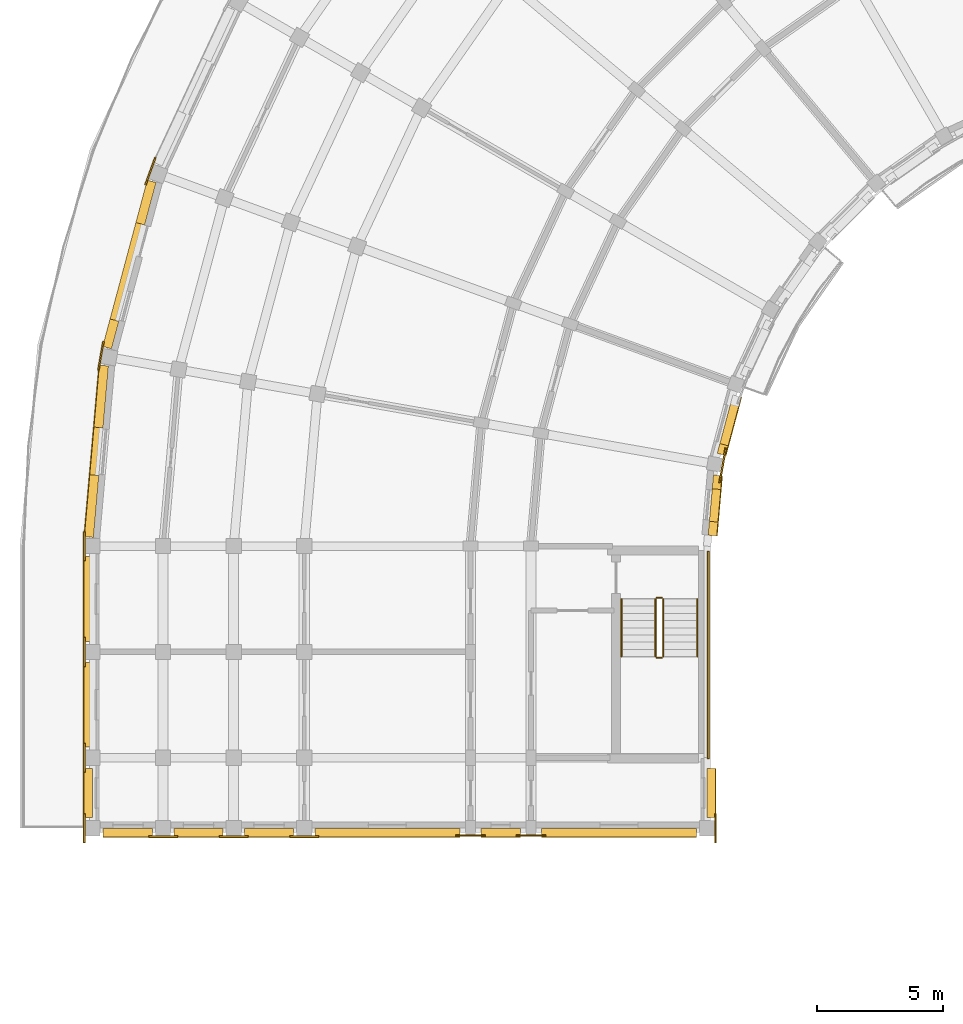
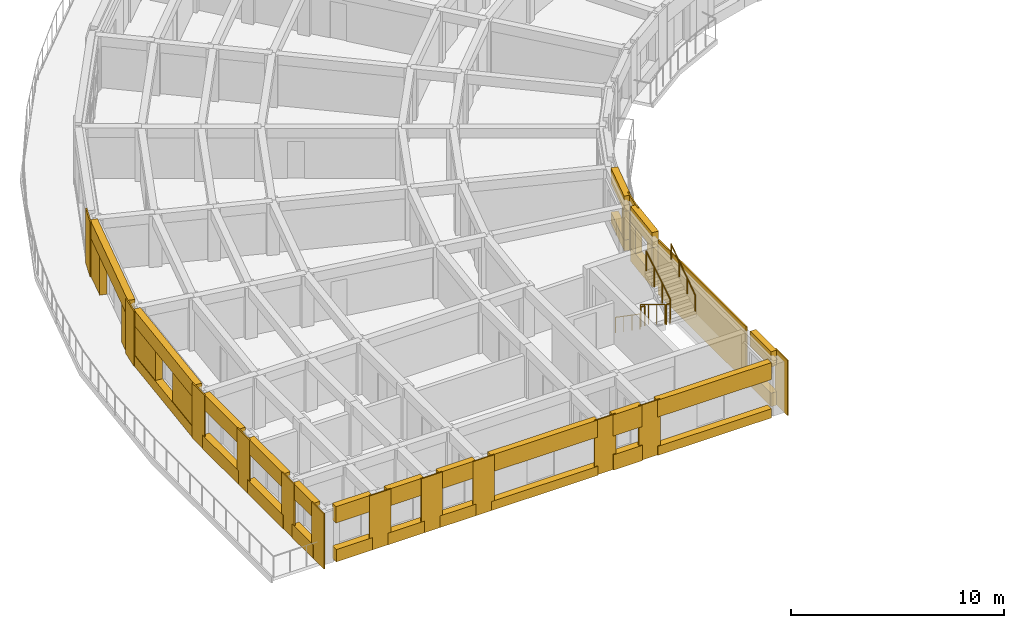
# One storey, part 23 of 32: 48 coverings, 6 railings.
"""IFC4 building model written with IfcOpenShell, lengths in metres."""

from ifc_helpers import new_model, si_unit, direction, frame, origin, origin_2d, place, context, subcontext, project, spatial, polyline, circle, outline, extrude, material, layer, layer_set, type_object, element, save


model = new_model("IFC4")

# Units and contexts
model_context = context("Model", 3, precision=1e-05, world=origin(), true_north=direction((0.0, 1.0)))
body_context = subcontext(model_context, "Body", "Model", "MODEL_VIEW")
ifc_project = project(units=[si_unit("LENGTHUNIT", "METRE"), si_unit("AREAUNIT", "SQUARE_METRE"), si_unit("VOLUMEUNIT", "CUBIC_METRE"), si_unit("PLANEANGLEUNIT", "RADIAN"), si_unit("MASSUNIT", "GRAM", prefix="KILO")], contexts=[model_context])

# Site, building, storey
site_placement = place(None, origin())
site = spatial("IfcSite", under=ifc_project, at=site_placement, CompositionType="ELEMENT")
building_placement = place(site_placement, origin())
building = spatial("IfcBuilding", under=site, at=building_placement, Name="Kiranvali Square Residences", CompositionType="ELEMENT")
storey_placement = place(building_placement, frame((0.0, 0.0, 40.199951171875)))
storey = spatial("IfcBuildingStorey", under=building, at=storey_placement, Name="L12", CompositionType="ELEMENT", Elevation=40.199951171875)

# Coverings
ifc_material_1 = material(Name="Honed Porbandar limestone ashlar facade cladding", Category="masonry")
ifc_layer_1 = layer(ifc_material_1, 0.3798828125)
ifc_layer_set_1 = layer_set([ifc_layer_1], Name="Honed Porbandar limestone ashlar facade cladding")
covering_type_1 = type_object("IfcCoveringType", Name="COV-CLAD-JAMB", PredefinedType="CLADDING", material=ifc_layer_set_1)
covering_1_placement = place(storey_placement, origin())
element("IfcCovering", 1, at=covering_1_placement, inside=storey, type_object=covering_type_1, Name="L12 deep limestone window jamb reveal A-L12-CRV-07.L", PredefinedType="CLADDING", context=body_context, shape_type="SweptSolid", body=[
    extrude(outline(polyline([(7.1669921875, 102.330322265625), (6.716552734375, 100.649169921875), (7.063720703125, 100.55615234375), (7.51416015625, 102.2373046875), (7.1669921875, 102.330322265625)])), origin(), (0.0, 0.0, 1.0), 2.179931640625),
])
covering_2_placement = place(storey_placement, origin())
element("IfcCovering", 2, at=covering_2_placement, inside=storey, type_object=covering_type_1, Name="L12 deep limestone window jamb reveal A-L12-CRV-07.R", PredefinedType="CLADDING", context=body_context, shape_type="SweptSolid", body=[
    extrude(outline(polyline([(5.6904296875, 96.8203125), (5.399169921875, 95.73291015625), (5.746337890625, 95.639892578125), (6.037841796875, 96.727294921875), (5.6904296875, 96.8203125)])), origin(), (0.0, 0.0, 1.0), 2.179931640625),
])
covering_3_placement = place(storey_placement, frame((0.0, 0.0, 0.630126953125)))
element("IfcCovering", 3, at=covering_3_placement, inside=storey, type_object=covering_type_1, Name="L12 deep limestone window jamb reveal A-L12-CRV-08.L", PredefinedType="CLADDING", context=body_context, shape_type="SweptSolid", body=[
    extrude(outline(polyline([(5.26708984375, 94.984375), (5.05224609375, 92.528564453125), (5.410400390625, 92.497314453125), (5.625244140625, 94.952880859375), (5.26708984375, 94.984375)])), origin(), (0.0, 0.0, 1.0), 1.64990234375),
])
covering_4_placement = place(storey_placement, frame((0.0, 0.0, 0.630126953125)))
element("IfcCovering", 4, at=covering_4_placement, inside=storey, type_object=covering_type_1, Name="L12 deep limestone window jamb reveal A-L12-CRV-08.R", PredefinedType="CLADDING", context=body_context, shape_type="SweptSolid", body=[
    extrude(outline(polyline([(4.88671875, 90.6357421875), (4.671875, 88.179931640625), (5.030029296875, 88.148681640625), (5.244873046875, 90.6044921875), (4.88671875, 90.6357421875)])), origin(), (0.0, 0.0, 1.0), 1.64990234375),
])
covering_5_placement = place(storey_placement, frame((0.0, 0.0, 0.6220703125)))
element("IfcCovering", 5, at=covering_5_placement, inside=storey, type_object=covering_type_1, Name="L12 deep limestone window jamb reveal A-L12-GDN-07.R", PredefinedType="CLADDING", context=body_context, shape_type="SweptSolid", body=[
    extrude(outline(polyline([(29.903076171875, 91.87451171875), (29.800048828125, 91.489501953125), (30.1279296875, 91.401611328125), (30.23095703125, 91.78662109375), (29.903076171875, 91.87451171875)])), origin(), (0.0, 0.0, 1.0), 1.64990234375),
])
covering_6_placement = place(storey_placement, frame((0.0, 0.0, 0.77197265625)))
element("IfcCovering", 6, at=covering_6_placement, inside=storey, type_object=covering_type_1, Name="L12 deep limestone window jamb reveal A-L12-GDN-08.L", PredefinedType="CLADDING", context=body_context, shape_type="SweptSolid", body=[
    extrude(outline(polyline([(29.647705078125, 90.626220703125), (29.599853515625, 90.079833984375), (29.938232421875, 90.05029296875), (29.986083984375, 90.5966796875), (29.647705078125, 90.626220703125)])), origin(), (0.0, 0.0, 1.0), 1.5),
])
covering_7_placement = place(storey_placement, frame((0.0, 0.0, 0.77197265625)))
element("IfcCovering", 7, at=covering_7_placement, inside=storey, type_object=covering_type_1, Name="L12 deep limestone window jamb reveal A-L12-GDN-08.R", PredefinedType="CLADDING", context=body_context, shape_type="SweptSolid", body=[
    extrude(outline(polyline([(29.486572265625, 88.78466796875), (29.43896484375, 88.23828125), (29.777099609375, 88.208740234375), (29.824951171875, 88.755126953125), (29.486572265625, 88.78466796875)])), origin(), (0.0, 0.0, 1.0), 1.5),
])
ifc_layer_2 = layer(ifc_material_1, 0.06494140625)
ifc_layer_set_2 = layer_set([ifc_layer_2], Name="Honed Porbandar limestone ashlar facade cladding")
covering_type_2 = type_object("IfcCoveringType", Name="COV-CLAD-PIER", PredefinedType="CLADDING", material=ifc_layer_set_2)
covering_8_placement = place(storey_placement, frame((0.0, 0.0, 0.005126953125)))
element("IfcCovering", 8, at=covering_8_placement, inside=storey, type_object=covering_type_2, Name="L12 Classical limestone corner pilaster CLAD-PR-A-L12-A07", PredefinedType="CLADDING", context=body_context, shape_type="SweptSolid", body=[
    extrude(outline(polyline([(7.457763671875, 103.24609375), (7.06103515625, 102.156005859375), (7.12451171875, 102.133056640625), (7.521240234375, 103.22314453125), (7.457763671875, 103.24609375)])), origin(), (0.0, 0.0, 1.0), 3.139892578125),
])
covering_9_placement = place(storey_placement, frame((0.0, 0.0, 0.005126953125)))
element("IfcCovering", 9, at=covering_9_placement, inside=storey, type_object=covering_type_2, Name="L12 Classical limestone corner pilaster CLAD-PR-A-L12-A08", PredefinedType="CLADDING", context=body_context, shape_type="SweptSolid", body=[
    extrude(outline(polyline([(5.39453125, 95.936767578125), (5.193115234375, 94.79443359375), (5.259765625, 94.782470703125), (5.461181640625, 95.925048828125), (5.39453125, 95.936767578125)])), origin(), (0.0, 0.0, 1.0), 3.139892578125),
])
covering_10_placement = place(storey_placement, frame((0.0, 0.0, 0.005126953125)))
element("IfcCovering", 10, at=covering_10_placement, inside=storey, type_object=covering_type_2, Name="L12 Classical limestone corner pilaster CLAD-PR-A-L12-A09", PredefinedType="CLADDING", context=body_context, shape_type="SweptSolid", body=[
    extrude(outline(polyline([(4.632080078125, 88.3798828125), (4.632080078125, 87.219970703125), (4.699462890625, 87.219970703125), (4.699462890625, 88.3798828125), (4.632080078125, 88.3798828125)])), origin(), (0.0, 0.0, 1.0), 3.139892578125),
])
covering_11_placement = place(storey_placement, frame((0.0, 0.0, 0.005126953125)))
element("IfcCovering", 11, at=covering_11_placement, inside=storey, type_object=covering_type_2, Name="Block A L12 Arm 2 stair limestone ashlar cladding", PredefinedType="CLADDING", context=body_context, shape_type="SweptSolid", body=[
    extrude(outline(polyline([(29.402099609375, 87.60009765625), (29.402099609375, 79.35009765625), (29.47998046875, 79.35009765625), (29.47998046875, 87.60009765625), (29.402099609375, 87.60009765625)])), origin(), (0.0, 0.0, 1.0), 3.139892578125),
])
ifc_layer_3 = layer(ifc_material_1, 0.050048828125)
ifc_layer_set_3 = layer_set([ifc_layer_3], Name="Honed Porbandar limestone ashlar facade cladding")
covering_type_3 = type_object("IfcCoveringType", Name="COV-CLAD-PIER-IN", PredefinedType="CLADDING", material=ifc_layer_set_3)
covering_12_placement = place(storey_placement, frame((0.0, 0.0, 0.005126953125)))
element("IfcCovering", 12, at=covering_12_placement, inside=storey, type_object=covering_type_3, Name="L12 Classical garden courtyard pilaster CLAD-PRIN-A-L12-A08", PredefinedType="CLADDING", context=body_context, shape_type="SweptSolid", body=[
    extrude(outline(polyline([(29.926513671875, 90.311279296875), (30.169677734375, 91.68994140625), (30.10302734375, 91.70166015625), (29.860107421875, 90.322998046875), (29.926513671875, 90.311279296875)])), origin(), (0.0, 0.0, 1.0), 3.139892578125),
])
covering_13_placement = place(storey_placement, frame((0.0, 0.0, 0.005126953125)))
element("IfcCovering", 13, at=covering_13_placement, inside=storey, type_object=covering_type_3, Name="L12 Classical limestone pilaster casing CLAD-PRA2I-A-L12-V112", PredefinedType="CLADDING", context=body_context, shape_type="SweptSolid", body=[
    extrude(outline(polyline([(29.700439453125, 77.179931640625), (29.700439453125, 76.02001953125), (29.76806640625, 76.02001953125), (29.76806640625, 77.179931640625), (29.700439453125, 77.179931640625)])), origin(), (0.0, 0.0, 1.0), 3.139892578125),
])
ifc_layer_4 = layer(ifc_material_1, 0.054931640625)
ifc_layer_set_4 = layer_set([ifc_layer_4], Name="Honed Porbandar limestone ashlar facade cladding")
covering_type_4 = type_object("IfcCoveringType", Name="COV-CLAD-PIER-UP", PredefinedType="CLADDING", material=ifc_layer_set_4)
covering_14_placement = place(storey_placement, frame((0.0, 0.0, 0.005126953125)))
element("IfcCovering", 14, at=covering_14_placement, inside=storey, type_object=covering_type_4, Name="L12 Classical limestone pilaster casing CLAD-PR-A-L12-V42", PredefinedType="CLADDING", context=body_context, shape_type="SweptSolid", body=[
    extrude(outline(polyline([(4.632080078125, 84.179931640625), (4.632080078125, 83.02001953125), (4.699462890625, 83.02001953125), (4.699462890625, 84.179931640625), (4.632080078125, 84.179931640625)])), origin(), (0.0, 0.0, 1.0), 3.139892578125),
])
covering_15_placement = place(storey_placement, frame((0.0, 0.0, 0.005126953125)))
element("IfcCovering", 15, at=covering_15_placement, inside=storey, type_object=covering_type_4, Name="L12 Classical limestone pilaster casing CLAD-PR-A-L12-V84", PredefinedType="CLADDING", context=body_context, shape_type="SweptSolid", body=[
    extrude(outline(polyline([(4.632080078125, 79.97998046875), (4.632080078125, 78.820068359375), (4.699462890625, 78.820068359375), (4.699462890625, 79.97998046875), (4.632080078125, 79.97998046875)])), origin(), (0.0, 0.0, 1.0), 3.139892578125),
])
covering_16_placement = place(storey_placement, frame((0.0, 0.0, 0.005126953125)))
element("IfcCovering", 16, at=covering_16_placement, inside=storey, type_object=covering_type_4, Name="L12 Classical limestone pilaster casing CLAD-PR-A-L12-V112", PredefinedType="CLADDING", context=body_context, shape_type="SweptSolid", body=[
    extrude(outline(polyline([(4.632080078125, 77.179931640625), (4.632080078125, 76.02001953125), (4.699462890625, 76.02001953125), (4.699462890625, 77.179931640625), (4.632080078125, 77.179931640625)])), origin(), (0.0, 0.0, 1.0), 3.139892578125),
])
covering_17_placement = place(storey_placement, frame((0.0, 0.0, 0.005126953125)))
element("IfcCovering", 17, at=covering_17_placement, inside=storey, type_object=covering_type_4, Name="L12 Classical limestone pilaster casing CLAD-PRA2E-A-L12-R258", PredefinedType="CLADDING", context=body_context, shape_type="SweptSolid", body=[
    extrude(outline(polyline([(22.97998046875, 76.349609375), (21.820068359375, 76.349609375), (21.820068359375, 76.281982421875), (22.97998046875, 76.281982421875), (22.97998046875, 76.349609375)])), origin(), (0.0, 0.0, 1.0), 3.139892578125),
])
covering_18_placement = place(storey_placement, frame((0.0, 0.0, 0.005126953125)))
element("IfcCovering", 18, at=covering_18_placement, inside=storey, type_object=covering_type_4, Name="L12 Classical limestone pilaster casing CLAD-PRA2E-A-L12-R282", PredefinedType="CLADDING", context=body_context, shape_type="SweptSolid", body=[
    extrude(outline(polyline([(20.580078125, 76.349609375), (19.419921875, 76.349609375), (19.419921875, 76.281982421875), (20.580078125, 76.281982421875), (20.580078125, 76.349609375)])), origin(), (0.0, 0.0, 1.0), 3.139892578125),
])
covering_19_placement = place(storey_placement, frame((0.0, 0.0, 0.005126953125)))
element("IfcCovering", 19, at=covering_19_placement, inside=storey, type_object=covering_type_4, Name="L12 Classical limestone pilaster casing CLAD-PRA2E-A-L12-R348", PredefinedType="CLADDING", context=body_context, shape_type="SweptSolid", body=[
    extrude(outline(polyline([(13.97998046875, 76.299560546875), (12.820068359375, 76.299560546875), (12.820068359375, 76.23193359375), (13.97998046875, 76.23193359375), (13.97998046875, 76.299560546875)])), origin(), (0.0, 0.0, 1.0), 3.139892578125),
])
covering_20_placement = place(storey_placement, frame((0.0, 0.0, 0.005126953125)))
element("IfcCovering", 20, at=covering_20_placement, inside=storey, type_object=covering_type_4, Name="L12 Classical limestone pilaster casing CLAD-PRA2E-A-L12-R376", PredefinedType="CLADDING", context=body_context, shape_type="SweptSolid", body=[
    extrude(outline(polyline([(11.179931640625, 76.299560546875), (10.02001953125, 76.299560546875), (10.02001953125, 76.23193359375), (11.179931640625, 76.23193359375), (11.179931640625, 76.299560546875)])), origin(), (0.0, 0.0, 1.0), 3.139892578125),
])
covering_21_placement = place(storey_placement, frame((0.0, 0.0, 0.005126953125)))
element("IfcCovering", 21, at=covering_21_placement, inside=storey, type_object=covering_type_4, Name="L12 Classical limestone pilaster casing CLAD-PRA2E-A-L12-R404", PredefinedType="CLADDING", context=body_context, shape_type="SweptSolid", body=[
    extrude(outline(polyline([(8.3798828125, 76.299560546875), (7.219970703125, 76.299560546875), (7.219970703125, 76.23193359375), (8.3798828125, 76.23193359375), (8.3798828125, 76.299560546875)])), origin(), (0.0, 0.0, 1.0), 3.139892578125),
])
ifc_layer_5 = layer(ifc_material_1, 0.360107421875)
ifc_layer_set_5 = layer_set([ifc_layer_5], Name="Honed Porbandar limestone ashlar facade cladding")
covering_type_5 = type_object("IfcCoveringType", Name="COV-CLAD-WALL", PredefinedType="CLADDING", material=ifc_layer_set_5)
covering_22_placement = place(storey_placement, frame((0.0, 0.0, 2.179931640625)))
element("IfcCovering", 22, at=covering_22_placement, inside=storey, type_object=covering_type_5, Name="L12 light limestone spandrel lintel A-L12-CRV-07", PredefinedType="CLADDING", context=body_context, shape_type="SweptSolid", body=[
    extrude(outline(polyline([(7.1669921875, 102.330322265625), (5.399169921875, 95.73291015625), (5.746337890625, 95.639892578125), (7.51416015625, 102.2373046875), (7.1669921875, 102.330322265625)])), origin(), (0.0, 0.0, 1.0), 0.965087890625),
])
covering_23_placement = place(storey_placement, frame((0.0, 0.0, 2.280029296875)))
element("IfcCovering", 23, at=covering_23_placement, inside=storey, type_object=covering_type_5, Name="L12 light limestone spandrel lintel A-L12-CRV-08", PredefinedType="CLADDING", context=body_context, shape_type="SweptSolid", body=[
    extrude(outline(polyline([(5.26708984375, 94.984375), (4.671875, 88.179931640625), (5.030029296875, 88.148681640625), (5.625244140625, 94.952880859375), (5.26708984375, 94.984375)])), origin(), (0.0, 0.0, 1.0), 0.864990234375),
])
covering_24_placement = place(storey_placement, frame((0.0, 0.0, 2.27197265625)))
element("IfcCovering", 24, at=covering_24_placement, inside=storey, type_object=covering_type_5, Name="L12 light limestone spandrel lintel A-L12-GDN-07", PredefinedType="CLADDING", context=body_context, shape_type="SweptSolid", body=[
    extrude(outline(polyline([(30.42041015625, 93.804931640625), (29.800048828125, 91.489501953125), (30.1279296875, 91.401611328125), (30.748291015625, 93.717041015625), (30.42041015625, 93.804931640625)])), origin(), (0.0, 0.0, 1.0), 0.873046875),
])
covering_25_placement = place(storey_placement, frame((0.0, 0.0, 2.27197265625)))
element("IfcCovering", 25, at=covering_25_placement, inside=storey, type_object=covering_type_5, Name="L12 light limestone spandrel lintel A-L12-GDN-08", PredefinedType="CLADDING", context=body_context, shape_type="SweptSolid", body=[
    extrude(outline(polyline([(29.647705078125, 90.626220703125), (29.43896484375, 88.23828125), (29.777099609375, 88.208740234375), (29.986083984375, 90.5966796875), (29.647705078125, 90.626220703125)])), origin(), (0.0, 0.0, 1.0), 0.873046875),
])
covering_26_placement = place(storey_placement, frame((0.0, 0.0, 2.280029296875)))
element("IfcCovering", 26, at=covering_26_placement, inside=storey, type_object=covering_type_5, Name="L12 light limestone spandrel lintel A-L12-A2O-0", PredefinedType="CLADDING", context=body_context, shape_type="SweptSolid", body=[
    extrude(outline(polyline([(4.64990234375, 87.3798828125), (4.64990234375, 84.02001953125), (4.99951171875, 84.02001953125), (4.99951171875, 87.3798828125), (4.64990234375, 87.3798828125)])), origin(), (0.0, 0.0, 1.0), 0.864990234375),
])
covering_27_placement = place(storey_placement, frame((0.0, 0.0, 2.280029296875)))
element("IfcCovering", 27, at=covering_27_placement, inside=storey, type_object=covering_type_5, Name="L12 light limestone spandrel lintel A-L12-A2O-1", PredefinedType="CLADDING", context=body_context, shape_type="SweptSolid", body=[
    extrude(outline(polyline([(4.64990234375, 83.179931640625), (4.64990234375, 79.820068359375), (4.99951171875, 79.820068359375), (4.99951171875, 83.179931640625), (4.64990234375, 83.179931640625)])), origin(), (0.0, 0.0, 1.0), 0.864990234375),
])
covering_28_placement = place(storey_placement, frame((0.0, 0.0, 2.280029296875)))
element("IfcCovering", 28, at=covering_28_placement, inside=storey, type_object=covering_type_5, Name="L12 light limestone spandrel lintel A-L12-A2O-2", PredefinedType="CLADDING", context=body_context, shape_type="SweptSolid", body=[
    extrude(outline(polyline([(4.64990234375, 78.97998046875), (4.64990234375, 77.02001953125), (4.99951171875, 77.02001953125), (4.99951171875, 78.97998046875), (4.64990234375, 78.97998046875)])), origin(), (0.0, 0.0, 1.0), 0.864990234375),
])
covering_29_placement = place(storey_placement, frame((0.0, 0.0, 2.27197265625)))
element("IfcCovering", 29, at=covering_29_placement, inside=storey, type_object=covering_type_5, Name="L12 light limestone spandrel lintel A-L12-A2I-0", PredefinedType="CLADDING", context=body_context, shape_type="SweptSolid", body=[
    extrude(outline(polyline([(29.400390625, 78.97998046875), (29.400390625, 77.02001953125), (29.719970703125, 77.02001953125), (29.719970703125, 78.97998046875), (29.400390625, 78.97998046875)])), origin(), (0.0, 0.0, 1.0), 0.873046875),
])
covering_30_placement = place(storey_placement, frame((0.0, 0.0, 2.172119140625)))
element("IfcCovering", 30, at=covering_30_placement, inside=storey, type_object=covering_type_5, Name="L12 light limestone spandrel lintel A-L12-A2END-0", PredefinedType="CLADDING", context=body_context, shape_type="SweptSolid", body=[
    extrude(outline(polyline([(28.97998046875, 76.599609375), (22.820068359375, 76.599609375), (22.820068359375, 76.260009765625), (28.97998046875, 76.260009765625), (28.97998046875, 76.599609375)])), origin(), (0.0, 0.0, 1.0), 0.972900390625),
])
covering_31_placement = place(storey_placement, frame((0.0, 0.0, 1.929931640625)))
element("IfcCovering", 31, at=covering_31_placement, inside=storey, type_object=covering_type_5, Name="L12 light limestone spandrel lintel A-L12-A2END-1", PredefinedType="CLADDING", context=body_context, shape_type="SweptSolid", body=[
    extrude(outline(polyline([(21.97998046875, 76.599609375), (20.419921875, 76.599609375), (20.419921875, 76.260009765625), (21.97998046875, 76.260009765625), (21.97998046875, 76.599609375)])), origin(), (0.0, 0.0, 1.0), 1.215087890625),
])
covering_32_placement = place(storey_placement, frame((0.0, 0.0, 2.172119140625)))
element("IfcCovering", 32, at=covering_32_placement, inside=storey, type_object=covering_type_5, Name="L12 light limestone spandrel lintel A-L12-A2END-2", PredefinedType="CLADDING", context=body_context, shape_type="SweptSolid", body=[
    extrude(outline(polyline([(19.580078125, 76.599609375), (13.820068359375, 76.599609375), (13.820068359375, 76.260009765625), (19.580078125, 76.260009765625), (19.580078125, 76.599609375)])), origin(), (0.0, 0.0, 1.0), 0.972900390625),
])
covering_33_placement = place(storey_placement, frame((0.0, 0.0, 2.172119140625)))
element("IfcCovering", 33, at=covering_33_placement, inside=storey, type_object=covering_type_5, Name="L12 light limestone spandrel lintel A-L12-A2END-3", PredefinedType="CLADDING", context=body_context, shape_type="SweptSolid", body=[
    extrude(outline(polyline([(12.97998046875, 76.599609375), (11.02001953125, 76.599609375), (11.02001953125, 76.260009765625), (12.97998046875, 76.260009765625), (12.97998046875, 76.599609375)])), origin(), (0.0, 0.0, 1.0), 0.972900390625),
])
covering_34_placement = place(storey_placement, frame((0.0, 0.0, 2.172119140625)))
element("IfcCovering", 34, at=covering_34_placement, inside=storey, type_object=covering_type_5, Name="L12 light limestone spandrel lintel A-L12-A2END-4", PredefinedType="CLADDING", context=body_context, shape_type="SweptSolid", body=[
    extrude(outline(polyline([(10.179931640625, 76.599609375), (8.219970703125, 76.599609375), (8.219970703125, 76.260009765625), (10.179931640625, 76.260009765625), (10.179931640625, 76.599609375)])), origin(), (0.0, 0.0, 1.0), 0.972900390625),
])
covering_35_placement = place(storey_placement, frame((0.0, 0.0, 2.212158203125)))
element("IfcCovering", 35, at=covering_35_placement, inside=storey, type_object=covering_type_5, Name="L12 light limestone spandrel lintel A-L12-A2END-5", PredefinedType="CLADDING", context=body_context, shape_type="SweptSolid", body=[
    extrude(outline(polyline([(7.3798828125, 76.599609375), (5.419921875, 76.599609375), (5.419921875, 76.260009765625), (7.3798828125, 76.260009765625), (7.3798828125, 76.599609375)])), origin(), (0.0, 0.0, 1.0), 0.932861328125),
])
ifc_layer_6 = layer(ifc_material_1, 0.320068359375)
ifc_layer_set_6 = layer_set([ifc_layer_6], Name="Honed Porbandar limestone ashlar facade cladding")
covering_type_6 = type_object("IfcCoveringType", Name="COV-CLAD-WALL-UP", PredefinedType="CLADDING", material=ifc_layer_set_6)
covering_36_placement = place(storey_placement, frame((0.0, 0.0, 0.005126953125)))
element("IfcCovering", 36, at=covering_36_placement, inside=storey, type_object=covering_type_6, Name="L12 limestone window sill apron A-L12-CRV-08", PredefinedType="CLADDING", context=body_context, shape_type="SweptSolid", body=[
    extrude(outline(polyline([(5.2373046875, 94.98681640625), (4.64208984375, 88.1826171875), (5.030029296875, 88.148681640625), (5.625244140625, 94.952880859375), (5.2373046875, 94.98681640625)])), origin(), (0.0, 0.0, 1.0), 0.625),
])
covering_37_placement = place(storey_placement, frame((0.0, 0.0, 0.005126953125)))
element("IfcCovering", 37, at=covering_37_placement, inside=storey, type_object=covering_type_6, Name="L12 limestone window sill apron A-L12-GDN-07", PredefinedType="CLADDING", context=body_context, shape_type="SweptSolid", body=[
    extrude(outline(polyline([(30.42041015625, 93.804931640625), (29.800048828125, 91.489501953125), (30.156982421875, 91.393798828125), (30.77734375, 93.709228515625), (30.42041015625, 93.804931640625)])), origin(), (0.0, 0.0, 1.0), 0.616943359375),
])
covering_38_placement = place(storey_placement, frame((0.0, 0.0, 0.005126953125)))
element("IfcCovering", 38, at=covering_38_placement, inside=storey, type_object=covering_type_6, Name="L12 limestone window sill apron A-L12-GDN-08", PredefinedType="CLADDING", context=body_context, shape_type="SweptSolid", body=[
    extrude(outline(polyline([(29.647705078125, 90.626220703125), (29.43896484375, 88.23828125), (29.806884765625, 88.2060546875), (30.015869140625, 90.593994140625), (29.647705078125, 90.626220703125)])), origin(), (0.0, 0.0, 1.0), 0.766845703125),
])
covering_39_placement = place(storey_placement, frame((0.0, 0.0, 0.005126953125)))
element("IfcCovering", 39, at=covering_39_placement, inside=storey, type_object=covering_type_6, Name="L12 limestone window sill apron A-L12-A2O-0", PredefinedType="CLADDING", context=body_context, shape_type="SweptSolid", body=[
    extrude(outline(polyline([(4.6201171875, 87.3798828125), (4.6201171875, 84.02001953125), (4.99951171875, 84.02001953125), (4.99951171875, 87.3798828125), (4.6201171875, 87.3798828125)])), origin(), (0.0, 0.0, 1.0), 0.77490234375),
])
covering_40_placement = place(storey_placement, frame((0.0, 0.0, 0.005126953125)))
element("IfcCovering", 40, at=covering_40_placement, inside=storey, type_object=covering_type_6, Name="L12 limestone window sill apron A-L12-A2O-1", PredefinedType="CLADDING", context=body_context, shape_type="SweptSolid", body=[
    extrude(outline(polyline([(4.6201171875, 83.179931640625), (4.6201171875, 79.820068359375), (4.99951171875, 79.820068359375), (4.99951171875, 83.179931640625), (4.6201171875, 83.179931640625)])), origin(), (0.0, 0.0, 1.0), 0.77490234375),
])
covering_41_placement = place(storey_placement, frame((0.0, 0.0, 0.005126953125)))
element("IfcCovering", 41, at=covering_41_placement, inside=storey, type_object=covering_type_6, Name="L12 limestone window sill apron A-L12-A2O-2", PredefinedType="CLADDING", context=body_context, shape_type="SweptSolid", body=[
    extrude(outline(polyline([(4.6201171875, 78.97998046875), (4.6201171875, 77.02001953125), (4.99951171875, 77.02001953125), (4.99951171875, 78.97998046875), (4.6201171875, 78.97998046875)])), origin(), (0.0, 0.0, 1.0), 0.77490234375),
])
covering_42_placement = place(storey_placement, frame((0.0, 0.0, 0.005126953125)))
element("IfcCovering", 42, at=covering_42_placement, inside=storey, type_object=covering_type_6, Name="L12 limestone window sill apron A-L12-A2I-0", PredefinedType="CLADDING", context=body_context, shape_type="SweptSolid", body=[
    extrude(outline(polyline([(29.400390625, 78.97998046875), (29.400390625, 77.02001953125), (29.75, 77.02001953125), (29.75, 78.97998046875), (29.400390625, 78.97998046875)])), origin(), (0.0, 0.0, 1.0), 0.766845703125),
])
covering_43_placement = place(storey_placement, frame((0.0, 0.0, 0.005126953125)))
element("IfcCovering", 43, at=covering_43_placement, inside=storey, type_object=covering_type_6, Name="L12 limestone window sill apron A-L12-A2END-0", PredefinedType="CLADDING", context=body_context, shape_type="SweptSolid", body=[
    extrude(outline(polyline([(28.97998046875, 76.599609375), (22.820068359375, 76.599609375), (22.820068359375, 76.22998046875), (28.97998046875, 76.22998046875), (28.97998046875, 76.599609375)])), origin(), (0.0, 0.0, 1.0), 0.516845703125),
])
covering_44_placement = place(storey_placement, frame((0.0, 0.0, 0.005126953125)))
element("IfcCovering", 44, at=covering_44_placement, inside=storey, type_object=covering_type_6, Name="L12 limestone window sill apron A-L12-A2END-1", PredefinedType="CLADDING", context=body_context, shape_type="SweptSolid", body=[
    extrude(outline(polyline([(21.97998046875, 76.599609375), (20.419921875, 76.599609375), (20.419921875, 76.22998046875), (21.97998046875, 76.22998046875), (21.97998046875, 76.599609375)])), origin(), (0.0, 0.0, 1.0), 0.875),
])
covering_45_placement = place(storey_placement, frame((0.0, 0.0, 0.005126953125)))
element("IfcCovering", 45, at=covering_45_placement, inside=storey, type_object=covering_type_6, Name="L12 limestone window sill apron A-L12-A2END-2", PredefinedType="CLADDING", context=body_context, shape_type="SweptSolid", body=[
    extrude(outline(polyline([(19.580078125, 76.599609375), (13.820068359375, 76.599609375), (13.820068359375, 76.22998046875), (19.580078125, 76.22998046875), (19.580078125, 76.599609375)])), origin(), (0.0, 0.0, 1.0), 0.516845703125),
])
covering_46_placement = place(storey_placement, frame((0.0, 0.0, 0.005126953125)))
element("IfcCovering", 46, at=covering_46_placement, inside=storey, type_object=covering_type_6, Name="L12 limestone window sill apron A-L12-A2END-3", PredefinedType="CLADDING", context=body_context, shape_type="SweptSolid", body=[
    extrude(outline(polyline([(12.97998046875, 76.599609375), (11.02001953125, 76.599609375), (11.02001953125, 76.22998046875), (12.97998046875, 76.22998046875), (12.97998046875, 76.599609375)])), origin(), (0.0, 0.0, 1.0), 0.6669921875),
])
covering_47_placement = place(storey_placement, frame((0.0, 0.0, 0.005126953125)))
element("IfcCovering", 47, at=covering_47_placement, inside=storey, type_object=covering_type_6, Name="L12 limestone window sill apron A-L12-A2END-4", PredefinedType="CLADDING", context=body_context, shape_type="SweptSolid", body=[
    extrude(outline(polyline([(10.179931640625, 76.599609375), (8.219970703125, 76.599609375), (8.219970703125, 76.22998046875), (10.179931640625, 76.22998046875), (10.179931640625, 76.599609375)])), origin(), (0.0, 0.0, 1.0), 0.6669921875),
])
covering_48_placement = place(storey_placement, frame((0.0, 0.0, 0.005126953125)))
element("IfcCovering", 48, at=covering_48_placement, inside=storey, type_object=covering_type_6, Name="L12 limestone window sill apron A-L12-A2END-5", PredefinedType="CLADDING", context=body_context, shape_type="SweptSolid", body=[
    extrude(outline(polyline([(7.3798828125, 76.599609375), (5.419921875, 76.599609375), (5.419921875, 76.22998046875), (7.3798828125, 76.22998046875), (7.3798828125, 76.599609375)])), origin(), (0.0, 0.0, 1.0), 0.70703125),
])

# Railings
ifc_material_2 = material(Name="Brushed stainless steel tubular handrail", Category="steel")
railing_type_1 = type_object("IfcRailingType", Name="RL-HANDRAIL-900", PredefinedType="HANDRAIL", material=ifc_material_2)
railing_1_placement = place(storey_placement, frame((26.0, 85.699951171875, 0.175048828125)))
element("IfcRailing", 49, at=railing_1_placement, inside=storey, type_object=railing_type_1, Name="L12 ST-A3 stair handrail 1", PredefinedType="HANDRAIL", context=body_context, shape_type="SweptSolid", body=[
    extrude(circle(Radius=0.02392578125, at=origin_2d()), frame((0.0, 0.0, 0.8759765625), z_axis=(0.0, -0.82278801735, 0.568348377763), x_axis=(1.0, 0.0, 0.0)), (0.0, 0.0, 1.0), 2.77099609375),
    extrude(circle(Radius=0.02099609375, at=origin_2d()), origin(), (0.0, 0.0, 1.0), 0.851806640625),
    extrude(circle(Radius=0.02099609375, at=origin_2d()), frame((0.0, -0.760009765625, 0.52490234375)), (0.0, 0.0, 1.0), 0.851806640625),
    extrude(circle(Radius=0.02099609375, at=origin_2d()), frame((0.0, -1.52001953125, 1.050048828125)), (0.0, 0.0, 1.0), 0.851806640625),
    extrude(circle(Radius=0.02099609375, at=origin_2d()), frame((0.0, -2.280029296875, 1.574951171875)), (0.0, 0.0, 1.0), 0.851806640625),
])
railing_2_placement = place(storey_placement, frame((29.0, 83.419921875, 1.75)))
element("IfcRailing", 50, at=railing_2_placement, inside=storey, type_object=railing_type_1, Name="L12 ST-A3 stair handrail 2", PredefinedType="HANDRAIL", context=body_context, shape_type="SweptSolid", body=[
    extrude(circle(Radius=0.02392578125, at=origin_2d()), frame((0.0, 0.0, 0.8759765625), z_axis=(0.0, 0.82278801735, 0.568348377763), x_axis=(-1.0, 0.0, 0.0)), (0.0, 0.0, 1.0), 2.77099609375),
    extrude(circle(Radius=0.02099609375, at=origin_2d()), origin(), (0.0, 0.0, 1.0), 0.851806640625),
    extrude(circle(Radius=0.02099609375, at=origin_2d()), frame((0.0, 0.760009765625, 0.52490234375)), (0.0, 0.0, 1.0), 0.851806640625),
    extrude(circle(Radius=0.02099609375, at=origin_2d()), frame((0.0, 1.52001953125, 1.050048828125)), (0.0, 0.0, 1.0), 0.851806640625),
    extrude(circle(Radius=0.02099609375, at=origin_2d()), frame((0.0, 2.280029296875, 1.574951171875)), (0.0, 0.0, 1.0), 0.851806640625),
])
ifc_material_3 = material(Name="Powder-coated architectural bronze balustrade", Category="steel")
railing_type_2 = type_object("IfcRailingType", Name="RL-ST-GUARD-1200", PredefinedType="GUARDRAIL", material=ifc_material_3)
railing_3_placement = place(storey_placement, frame((27.35009765625, 85.699951171875, 0.175048828125)))
element("IfcRailing", 51, at=railing_3_placement, inside=storey, type_object=railing_type_2, Name="L12 ST-A3 stair guard 1", PredefinedType="GUARDRAIL", context=body_context, shape_type="SweptSolid", body=[
    extrude(circle(Radius=0.02392578125, at=origin_2d()), frame((0.0, 0.0, 1.1259765625), z_axis=(0.0, -0.852190499154, 0.523231643875), x_axis=(1.0, 0.0, 0.0)), (0.0, 0.0, 1.0), 2.675537109375),
    extrude(circle(Radius=0.02099609375, at=origin_2d()), origin(), (0.0, 0.0, 1.0), 1.101806640625),
    extrude(circle(Radius=0.02099609375, at=origin_2d()), frame((0.0, -0.760009765625, 0.466552734375)), (0.0, 0.0, 1.0), 1.101806640625),
    extrude(circle(Radius=0.02099609375, at=origin_2d()), frame((0.0, -1.52001953125, 0.933349609375)), (0.0, 0.0, 1.0), 1.101806640625),
    extrude(circle(Radius=0.02099609375, at=origin_2d()), frame((0.0, -2.280029296875, 1.39990234375)), (0.0, 0.0, 1.0), 1.101806640625),
])
railing_4_placement = place(storey_placement, frame((27.39990234375, 83.3701171875, 1.574951171875)))
element("IfcRailing", 52, at=railing_4_placement, inside=storey, type_object=railing_type_2, Name="L12 ST-A3 stair guard 2", PredefinedType="GUARDRAIL", context=body_context, shape_type="SweptSolid", body=[
    extrude(circle(Radius=0.02392578125, at=origin_2d()), frame((0.0, 0.0, 1.1259765625), z_axis=(1.0, 0.0, 0.0), x_axis=(0.0, 1.0, 0.0)), (0.0, 0.0, 1.0), 0.2001953125),
    extrude(circle(Radius=0.02099609375, at=origin_2d()), origin(), (0.0, 0.0, 1.0), 1.101806640625),
    extrude(circle(Radius=0.02099609375, at=origin_2d()), frame((0.2001953125, 0.0, 0.0)), (0.0, 0.0, 1.0), 1.101806640625),
])
railing_5_placement = place(storey_placement, frame((27.64990234375, 83.419921875, 1.75)))
element("IfcRailing", 53, at=railing_5_placement, inside=storey, type_object=railing_type_2, Name="L12 ST-A3 stair guard 3", PredefinedType="GUARDRAIL", context=body_context, shape_type="SweptSolid", body=[
    extrude(circle(Radius=0.02392578125, at=origin_2d()), frame((0.0, 0.0, 1.1259765625), z_axis=(0.0, 0.852149810458, 0.523297908018), x_axis=(-1.0, 0.0, 0.0)), (0.0, 0.0, 1.0), 2.675537109375),
    extrude(circle(Radius=0.02099609375, at=origin_2d()), origin(), (0.0, 0.0, 1.0), 1.101806640625),
    extrude(circle(Radius=0.02099609375, at=origin_2d()), frame((0.0, 0.760009765625, 0.466796875)), (0.0, 0.0, 1.0), 1.101806640625),
    extrude(circle(Radius=0.02099609375, at=origin_2d()), frame((0.0, 1.52001953125, 0.933349609375)), (0.0, 0.0, 1.0), 1.101806640625),
    extrude(circle(Radius=0.02099609375, at=origin_2d()), frame((0.0, 2.280029296875, 1.400146484375)), (0.0, 0.0, 1.0), 1.101806640625),
])
railing_6_placement = place(storey_placement, frame((27.39990234375, 85.75, 0.0)))
element("IfcRailing", 54, at=railing_6_placement, inside=storey, type_object=railing_type_2, Name="L12 ST-A3 stair guard 4", PredefinedType="GUARDRAIL", context=body_context, shape_type="SweptSolid", body=[
    extrude(circle(Radius=0.02392578125, at=origin_2d()), frame((0.0, 0.0, 1.1259765625), z_axis=(1.0, 0.0, 0.0), x_axis=(0.0, 1.0, 0.0)), (0.0, 0.0, 1.0), 0.2001953125),
    extrude(circle(Radius=0.02099609375, at=origin_2d()), origin(), (0.0, 0.0, 1.0), 1.101806640625),
    extrude(circle(Radius=0.02099609375, at=origin_2d()), frame((0.2001953125, 0.0, 0.0)), (0.0, 0.0, 1.0), 1.101806640625),
])

save(model, "model.ifc")
